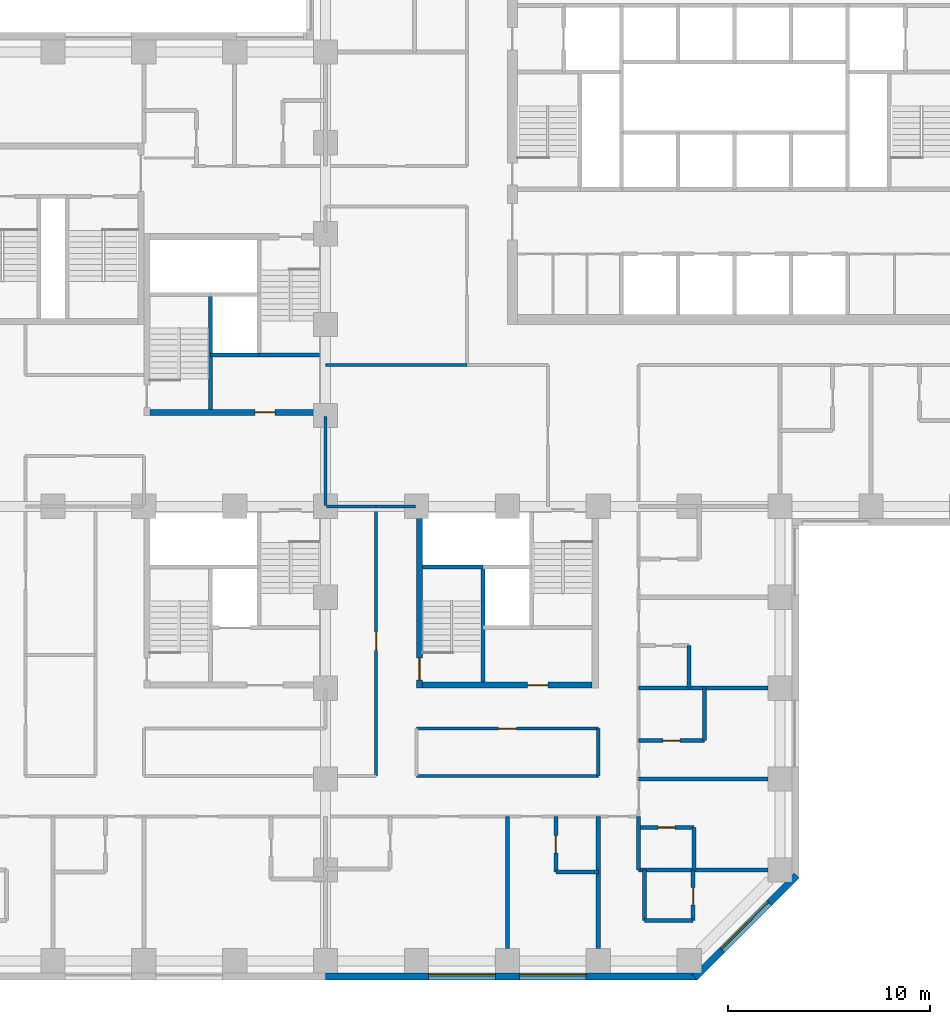
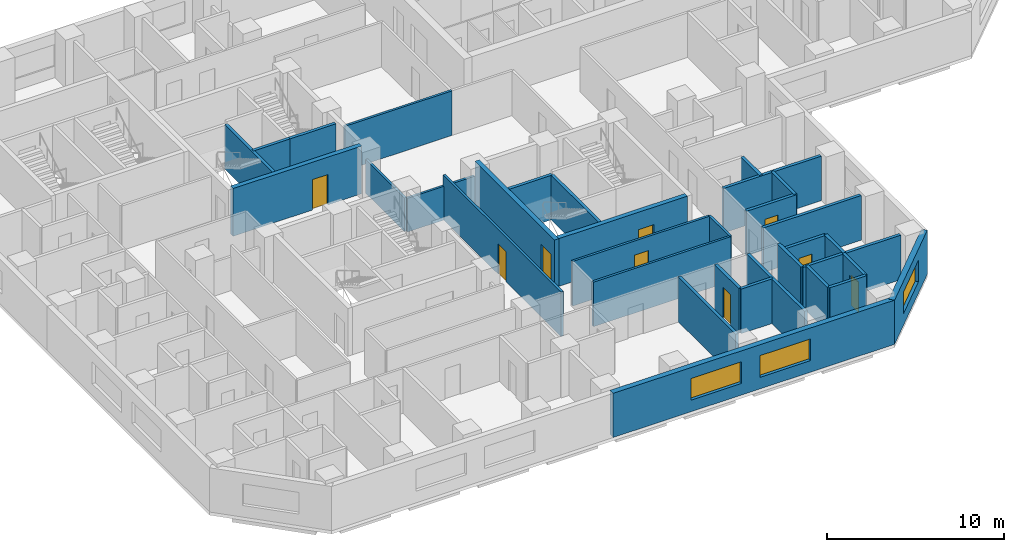
# One storey, part 4 of 12: 34 walls, 9 doors, 3 windows, 12 openings.
"""IFC4 building model written with IfcOpenShell, lengths in metres."""

from ifc_helpers import new_model, si_unit, direction, frame, frame_2d, origin, place, context, subcontext, project, spatial, rectangle, extrude, material, layer, layer_set, constituent, constituent_set, type_object, element, fill, save


model = new_model("IFC4")

# Units and contexts
model_context = context("Model", 3, precision=1e-05, world=origin(), true_north=direction((0.0, 1.0)))
body_context = subcontext(model_context, "Body", "Model", "MODEL_VIEW")
ifc_project = project(units=[si_unit("LENGTHUNIT", "METRE"), si_unit("AREAUNIT", "SQUARE_METRE"), si_unit("VOLUMEUNIT", "CUBIC_METRE"), si_unit("PLANEANGLEUNIT", "RADIAN"), si_unit("MASSUNIT", "GRAM", prefix="KILO")], contexts=[model_context])

# Site, building, storey
site_placement = place(None, origin())
site = spatial("IfcSite", under=ifc_project, at=site_placement, CompositionType="ELEMENT")
building_placement = place(site_placement, origin())
building = spatial("IfcBuilding", under=site, at=building_placement, Name="Quoin Convention Tower", CompositionType="ELEMENT")
storey_placement = place(building_placement, frame((0.0, 0.0, 59.39990234375)))
storey = spatial("IfcBuildingStorey", under=building, at=storey_placement, Name="L15", CompositionType="ELEMENT", Elevation=59.39990234375)

# Wall, openings, windows
ifc_material_1 = material(Name="Brick masonry", Category="masonry")
ifc_layer_1 = layer(ifc_material_1, 0.35009765625)
ifc_layer_set_1 = layer_set([ifc_layer_1], Name="Brick masonry")
wall_type_1 = type_object("IfcWallType", Name="Brick facade wall", PredefinedType="STANDARD", material=ifc_layer_set_1)
wall_1_placement = place(storey_placement, frame((36.0, 17.22509765625, 0.0), z_axis=(0.0, 0.0, 1.0), x_axis=(1.0, 0.0, 0.0)))
wall_1 = element("IfcWall", 1, at=wall_1_placement, inside=storey, type_object=wall_type_1, Name="fw-L15-36000_18000", PredefinedType="STANDARD", context=body_context, shape_type="SweptSolid", body=[
    extrude(rectangle(XDim=18.3935546875, YDim=0.35009765625, at=frame_2d((9.19677734375, 0.0))), origin(), (0.0, 0.0, 1.0), 3.05517578125),
])
opening_1_placement = place(wall_1_placement, frame((5.10009765625, 0.0, 0.800048828125)))
opening_1 = element("IfcOpeningElement", 2, at=opening_1_placement, cuts=wall_1, Name="Opening W-01", PredefinedType="OPENING", context=body_context, shape_type="SweptSolid", body=[
    extrude(rectangle(XDim=3.300048828125, YDim=1.5, at=frame_2d((1.64990234375, 0.75))), frame((0.0, 0.18505859375, 0.0), z_axis=(0.0, -1.0, 0.0), x_axis=(1.0, 0.0, 0.0)), (0.0, 0.0, 1.0), 0.3701171875),
])
opening_2_placement = place(wall_1_placement, frame((9.60009765625, 0.0, 0.800048828125)))
opening_2 = element("IfcOpeningElement", 3, at=opening_2_placement, cuts=wall_1, Name="Opening W-01", PredefinedType="OPENING", context=body_context, shape_type="SweptSolid", body=[
    extrude(rectangle(XDim=3.300048828125, YDim=1.5, at=frame_2d((1.64990234375, 0.75))), frame((0.0, 0.18505859375, 0.0), z_axis=(0.0, -1.0, 0.0), x_axis=(1.0, 0.0, 0.0)), (0.0, 0.0, 1.0), 0.3701171875),
])
ifc_material_2 = material(Name="Aluminium", Category="aluminium")
ifc_constituent_1 = constituent(ifc_material_2, Name="Frame")
ifc_material_3 = material(Name="Insulated glass", Category="glass")
ifc_constituent_2 = constituent(ifc_material_3, Name="Glazing")
ifc_constituent_set = constituent_set(constituents=[ifc_constituent_1, ifc_constituent_2], Name="Aluminium")
window_type = type_object("IfcWindowType", Name="Hotel strip window", PartitioningType="DOUBLE_PANEL_VERTICAL", PredefinedType="WINDOW", material=ifc_constituent_set)
window_1_placement = place(opening_1_placement, origin())
window_1 = element("IfcWindow", 4, at=window_1_placement, inside=storey, type_object=window_type, Name="win-L15-42750_17225", OverallHeight=1.5, OverallWidth=3.300048828125, PartitioningType="SINGLE_PANEL", PredefinedType="WINDOW", context=body_context, shape_type="SweptSolid", body=[
    extrude(rectangle(XDim=3.300048828125, YDim=1.5, at=frame_2d((1.64990234375, 0.75))), frame((0.0, 0.0849609375, 0.0), z_axis=(0.0, -1.0, 0.0), x_axis=(1.0, 0.0, 0.0)), (0.0, 0.0, 1.0), 0.06005859375),
])
fill(opening_1, window_1)
window_2_placement = place(opening_2_placement, origin())
window_2 = element("IfcWindow", 5, at=window_2_placement, inside=storey, type_object=window_type, Name="win-L15-47250_17225", OverallHeight=1.5, OverallWidth=3.300048828125, PartitioningType="SINGLE_PANEL", PredefinedType="WINDOW", context=body_context, shape_type="SweptSolid", body=[
    extrude(rectangle(XDim=3.300048828125, YDim=1.5, at=frame_2d((1.64990234375, 0.75))), frame((0.0, 0.0849609375, 0.0), z_axis=(0.0, -1.0, 0.0), x_axis=(1.0, 0.0, 0.0)), (0.0, 0.0, 1.0), 0.06005859375),
])
fill(opening_2, window_2)

# Wall, opening, window
wall_2_placement = place(storey_placement, frame((54.269775390625, 17.173583984375, 0.0), z_axis=(0.0, 0.0, 1.0), x_axis=(0.707106781187, 0.707106781187, 0.0)))
wall_2 = element("IfcWall", 6, at=wall_2_placement, inside=storey, type_object=wall_type_1, Name="fw-L15-54000_18000", PredefinedType="STANDARD", context=body_context, shape_type="SweptSolid", body=[
    extrude(rectangle(XDim=7.151123046875, YDim=0.35009765625, at=frame_2d((3.57568359375, 0.0))), origin(), (0.0, 0.0, 1.0), 3.05517578125),
])
opening_3_placement = place(wall_2_placement, frame((1.925537109375, 0.0, 0.800048828125)))
opening_3 = element("IfcOpeningElement", 7, at=opening_3_placement, cuts=wall_2, Name="Opening W-01", PredefinedType="OPENING", context=body_context, shape_type="SweptSolid", body=[
    extrude(rectangle(XDim=3.300048828125, YDim=1.5, at=frame_2d((1.64990234375, 0.75))), frame((0.0, 0.18505859375, 0.0), z_axis=(0.0, -1.0, 0.0), x_axis=(1.0, 0.0, 0.0)), (0.0, 0.0, 1.0), 0.3701171875),
])
window_3_placement = place(opening_3_placement, origin())
window_3 = element("IfcWindow", 8, at=window_3_placement, inside=storey, type_object=window_type, Name="win-L15-56798_19702", OverallHeight=1.5, OverallWidth=3.300048828125, PartitioningType="SINGLE_PANEL", PredefinedType="WINDOW", context=body_context, shape_type="SweptSolid", body=[
    extrude(rectangle(XDim=3.300048828125, YDim=1.5, at=frame_2d((1.64990234375, 0.75))), frame((0.0, 0.0849609375, 0.0), z_axis=(0.0, -1.0, 0.0), x_axis=(1.0, 0.0, 0.0)), (0.0, 0.0, 1.0), 0.06005859375),
])
fill(opening_3, window_3)

# Walls
ifc_material_4 = material(Name="Concrete C50", Category="concrete")
ifc_layer_2 = layer(ifc_material_4, 0.199951171875)
ifc_layer_set_2 = layer_set([ifc_layer_2], Name="Concrete C50")
wall_type_2 = type_object("IfcWallType", Name="Core shaft wall", PredefinedType="SOLIDWALL", material=ifc_layer_set_2)
wall_3_placement = place(storey_placement, frame((30.300048828125, 48.0, 0.0), z_axis=(0.0, 0.0, 1.0), x_axis=(1.0, 0.0, 0.0)))
element("IfcWall", 9, at=wall_3_placement, inside=storey, type_object=wall_type_2, Name="cr-P2-L15-h3000_3300", PredefinedType="SOLIDWALL", context=body_context, shape_type="SweptSolid", body=[
    extrude(rectangle(XDim=2.39990234375, YDim=0.199951171875, at=frame_2d((1.199951171875, 0.0))), origin(), (0.0, 0.0, 1.0), 3.080078125),
])
wall_4_placement = place(storey_placement, frame((32.699951171875, 48.0, 0.0), z_axis=(0.0, 0.0, 1.0), x_axis=(1.0, 0.0, 0.0)))
element("IfcWall", 10, at=wall_4_placement, inside=storey, type_object=wall_type_2, Name="cr-P2-L15-h3000_5700", PredefinedType="SOLIDWALL", context=body_context, shape_type="SweptSolid", body=[
    extrude(rectangle(XDim=3.0, YDim=0.199951171875, at=frame_2d((1.5, 0.0))), origin(), (0.0, 0.0, 1.0), 3.080078125),
])
wall_5_placement = place(storey_placement, frame((30.300048828125, 45.300048828125, 0.0), z_axis=(0.0, 0.0, 1.0), x_axis=(0.0, 1.0, 0.0)))
element("IfcWall", 11, at=wall_5_placement, inside=storey, type_object=wall_type_2, Name="cr-P2-L15-v3300_300", PredefinedType="SOLIDWALL", context=body_context, shape_type="SweptSolid", body=[
    extrude(rectangle(XDim=5.699951171875, YDim=0.199951171875, at=frame_2d((2.85009765625, 0.0))), origin(), (0.0, 0.0, 1.0), 3.080078125),
])
wall_6_placement = place(storey_placement, frame((40.800048828125, 37.5, 0.0), z_axis=(0.0, 0.0, 1.0), x_axis=(1.0, 0.0, 0.0)))
element("IfcWall", 12, at=wall_6_placement, inside=storey, type_object=wall_type_2, Name="cr-P3-L15-h6000_300", PredefinedType="SOLIDWALL", context=body_context, shape_type="SweptSolid", body=[
    extrude(rectangle(XDim=3.0, YDim=0.199951171875, at=frame_2d((1.5, 0.0))), origin(), (0.0, 0.0, 1.0), 3.080078125),
])
wall_7_placement = place(storey_placement, frame((43.800048828125, 31.800048828125, 0.0), z_axis=(0.0, 0.0, 1.0), x_axis=(0.0, 1.0, 0.0)))
element("IfcWall", 13, at=wall_7_placement, inside=storey, type_object=wall_type_2, Name="cr-P3-L15-v3300_300", PredefinedType="SOLIDWALL", context=body_context, shape_type="SweptSolid", body=[
    extrude(rectangle(XDim=5.699951171875, YDim=0.199951171875, at=frame_2d((2.85009765625, 0.0))), origin(), (0.0, 0.0, 1.0), 3.080078125),
])

# Wall, opening, door
ifc_material_5 = material(Name="Concrete C80", Category="concrete")
ifc_layer_3 = layer(ifc_material_5, 0.300048828125)
ifc_layer_set_3 = layer_set([ifc_layer_3], Name="Concrete C80")
wall_type_3 = type_object("IfcWallType", Name="RC CORE WALL 300 C80", PredefinedType="SHEAR", material=ifc_layer_set_3)
wall_8_placement = place(storey_placement, frame((27.300048828125, 45.14990234375, 0.0), z_axis=(0.0, 0.0, 1.0), x_axis=(1.0, 0.0, 0.0)))
wall_8 = element("IfcWall", 14, at=wall_8_placement, inside=storey, type_object=wall_type_3, Name="cwl-P2-L15-S", PredefinedType="SHEAR", context=body_context, shape_type="SweptSolid", body=[
    extrude(rectangle(XDim=8.39990234375, YDim=0.300048828125, at=frame_2d((4.199951171875, 0.0))), origin(), (0.0, 0.0, 1.0), 3.300048828125),
])
opening_4_placement = place(wall_8_placement, frame((5.199951171875, 0.0, 0.0)))
opening_4 = element("IfcOpeningElement", 15, at=opening_4_placement, cuts=wall_8, Name="Opening DCV5-51", PredefinedType="OPENING", context=body_context, shape_type="SweptSolid", body=[
    extrude(rectangle(XDim=1.0, YDim=2.10009765625, at=frame_2d((0.5, 1.050048828125))), frame((0.0, 0.159912109375, 0.0), z_axis=(0.0, -1.0, 0.0), x_axis=(1.0, 0.0, 0.0)), (0.0, 0.0, 1.0), 0.320068359375),
])
ifc_material_6 = material(Name="Steel door leaf", Category="steel")
door_type_1 = type_object("IfcDoorType", Name="Service door 1000 x 2100", OperationType="SINGLE_SWING_LEFT", PredefinedType="DOOR", material=ifc_material_6)
door_1_placement = place(opening_4_placement, origin())
door_1 = element("IfcDoor", 16, at=door_1_placement, inside=storey, type_object=door_type_1, Name="cd-P2-L15-R2-S", OperationType="SINGLE_SWING_LEFT", OverallHeight=2.10009765625, OverallWidth=1.0, PredefinedType="DOOR", context=body_context, shape_type="SweptSolid", body=[
    extrude(rectangle(XDim=1.0, YDim=2.10009765625, at=frame_2d((0.5, 1.050048828125))), frame((0.0, 0.02490234375, 0.0), z_axis=(0.0, -1.0, 0.0), x_axis=(1.0, 0.0, 0.0)), (0.0, 0.0, 1.0), 0.050048828125),
])
fill(opening_4, door_1)

wall_9_placement = place(storey_placement, frame((40.800048828125, 31.64990234375, 0.0), z_axis=(0.0, 0.0, 1.0), x_axis=(1.0, 0.0, 0.0)))
wall_9 = element("IfcWall", 17, at=wall_9_placement, inside=storey, type_object=wall_type_3, Name="cwl-P3-L15-S", PredefinedType="SHEAR", context=body_context, shape_type="SweptSolid", body=[
    extrude(rectangle(XDim=8.39990234375, YDim=0.300048828125, at=frame_2d((4.199951171875, 0.0))), origin(), (0.0, 0.0, 1.0), 3.300048828125),
])
opening_5_placement = place(wall_9_placement, frame((5.199951171875, 0.0, 0.0)))
opening_5 = element("IfcOpeningElement", 18, at=opening_5_placement, cuts=wall_9, Name="Opening DCV5-52", PredefinedType="OPENING", context=body_context, shape_type="SweptSolid", body=[
    extrude(rectangle(XDim=1.0, YDim=2.10009765625, at=frame_2d((0.5, 1.050048828125))), frame((0.0, 0.159912109375, 0.0), z_axis=(0.0, -1.0, 0.0), x_axis=(1.0, 0.0, 0.0)), (0.0, 0.0, 1.0), 0.320068359375),
])
door_2_placement = place(opening_5_placement, origin())
door_2 = element("IfcDoor", 19, at=door_2_placement, inside=storey, type_object=door_type_1, Name="cd-P3-L15-R2-S", OperationType="SINGLE_SWING_LEFT", OverallHeight=2.10009765625, OverallWidth=1.0, PredefinedType="DOOR", context=body_context, shape_type="SweptSolid", body=[
    extrude(rectangle(XDim=1.0, YDim=2.10009765625, at=frame_2d((0.5, 1.050048828125))), frame((0.0, 0.02490234375, 0.0), z_axis=(0.0, -1.0, 0.0), x_axis=(1.0, 0.0, 0.0)), (0.0, 0.0, 1.0), 0.050048828125),
])
fill(opening_5, door_2)

wall_10_placement = place(storey_placement, frame((40.64990234375, 31.5, 0.0), z_axis=(0.0, 0.0, 1.0), x_axis=(0.0, 1.0, 0.0)))
wall_10 = element("IfcWall", 20, at=wall_10_placement, inside=storey, type_object=wall_type_3, Name="cwl-P3-L15-W", PredefinedType="SHEAR", context=body_context, shape_type="SweptSolid", body=[
    extrude(rectangle(XDim=9.0, YDim=0.300048828125, at=frame_2d((4.5, 0.0))), origin(), (0.0, 0.0, 1.0), 3.300048828125),
])
opening_6_placement = place(wall_10_placement, frame((0.39990234375, 0.0, 0.0)))
opening_6 = element("IfcOpeningElement", 21, at=opening_6_placement, cuts=wall_10, Name="Opening SD5", PredefinedType="OPENING", context=body_context, shape_type="SweptSolid", body=[
    extrude(rectangle(XDim=1.10009765625, YDim=2.10009765625, at=frame_2d((0.550048828125, 1.050048828125))), frame((0.0, 0.159912109375, 0.0), z_axis=(0.0, -1.0, 0.0), x_axis=(1.0, 0.0, 0.0)), (0.0, 0.0, 1.0), 0.320068359375),
])
door_type_2 = type_object("IfcDoorType", Name="Stair door 1100 x 2100", OperationType="SINGLE_SWING_RIGHT", PredefinedType="DOOR", material=ifc_material_6)
door_3_placement = place(opening_6_placement, frame((1.10009765625, 0.0, 0.0), z_axis=(0.0, 0.0, 1.0), x_axis=(-1.0, 0.0, 0.0)))
door_3 = element("IfcDoor", 22, at=door_3_placement, inside=storey, type_object=door_type_2, Name="cd-P3-L15-SA-W", OperationType="SINGLE_SWING_RIGHT", OverallHeight=2.10009765625, OverallWidth=1.10009765625, PredefinedType="DOOR", context=body_context, shape_type="SweptSolid", body=[
    extrude(rectangle(XDim=1.10009765625, YDim=2.10009765625, at=frame_2d((0.550048828125, 1.050048828125))), frame((0.0, 0.02490234375, 0.0), z_axis=(0.0, -1.0, 0.0), x_axis=(1.0, 0.0, 0.0)), (0.0, 0.0, 1.0), 0.050048828125),
])
fill(opening_6, door_3)

# Walls
ifc_layer_4 = layer(ifc_material_4, 0.199951171875)
ifc_layer_set_4 = layer_set([ifc_layer_4], Name="Concrete C50")
wall_type_4 = type_object("IfcWallType", Name="RC party wall", PredefinedType="SOLIDWALL", material=ifc_layer_set_4)
for number, where, z_axis, x_axis, name in (
    (23, (45.0, 18.60009765625, 0.0), (0.0, 0.0, 1.0), (0.0, 1.0, 0.0), "pw-L15-042"),
    (24, (49.5, 18.60009765625, 0.0), (0.0, 0.0, 1.0), (0.0, 1.0, 0.0), "pw-L15-043"),
):
    element("IfcWall", number, at=place(storey_placement, frame(where, z_axis=z_axis, x_axis=x_axis)), inside=storey, type_object=wall_type_4, Name=name, PredefinedType="SOLIDWALL", context=body_context, shape_type="SweptSolid", body=[
        extrude(rectangle(XDim=6.5498046875, YDim=0.199951171875, at=frame_2d((3.27490234375, 0.0))), origin(), (0.0, 0.0, 1.0), 3.080078125),
    ])
wall_11_placement = place(storey_placement, frame((51.800048828125, 20.0, 0.0), z_axis=(0.0, 0.0, 1.0), x_axis=(1.0, 0.0, 0.0)))
element("IfcWall", 25, at=wall_11_placement, inside=storey, type_object=wall_type_4, Name="pw-L15-047", PredefinedType="SOLIDWALL", context=body_context, shape_type="SweptSolid", body=[
    extrude(rectangle(XDim=2.39990234375, YDim=0.199951171875, at=frame_2d((1.199951171875, 0.0))), origin(), (0.0, 0.0, 1.0), 3.080078125),
])
wall_12_placement = place(storey_placement, frame((51.800048828125, 20.0, 0.0), z_axis=(0.0, 0.0, 1.0), x_axis=(0.0, 1.0, 0.0)))
element("IfcWall", 26, at=wall_12_placement, inside=storey, type_object=wall_type_4, Name="pw-L15-048", PredefinedType="SOLIDWALL", context=body_context, shape_type="SweptSolid", body=[
    extrude(rectangle(XDim=2.5, YDim=0.199951171875, at=frame_2d((1.25, 0.0))), origin(), (0.0, 0.0, 1.0), 3.080078125),
])

# Wall, opening, door
wall_13_placement = place(storey_placement, frame((54.199951171875, 20.0, 0.0), z_axis=(0.0, 0.0, 1.0), x_axis=(0.0, 1.0, 0.0)))
wall_13 = element("IfcWall", 27, at=wall_13_placement, inside=storey, type_object=wall_type_4, Name="pw-L15-049", PredefinedType="SOLIDWALL", context=body_context, shape_type="SweptSolid", body=[
    extrude(rectangle(XDim=2.5, YDim=0.199951171875, at=frame_2d((1.25, 0.0))), origin(), (0.0, 0.0, 1.0), 3.080078125),
])
opening_7_placement = place(wall_13_placement, frame((0.77490234375, 0.0, 0.0)))
opening_7 = element("IfcOpeningElement", 28, at=opening_7_placement, cuts=wall_13, Name="Opening DHOTEL-D-43", PredefinedType="OPENING", context=body_context, shape_type="SweptSolid", body=[
    extrude(rectangle(XDim=0.85009765625, YDim=2.10009765625, at=frame_2d((0.425048828125, 1.050048828125))), frame((0.0, 0.10986328125, 0.0), z_axis=(0.0, -1.0, 0.0), x_axis=(1.0, 0.0, 0.0)), (0.0, 0.0, 1.0), 0.219970703125),
])
door_type_3 = type_object("IfcDoorType", Name="Bathroom door", OperationType="SINGLE_SWING_LEFT", PredefinedType="DOOR", material=ifc_material_6)
door_4_placement = place(opening_7_placement, frame((0.85009765625, 0.0, 0.0), z_axis=(0.0, 0.0, 1.0), x_axis=(-1.0, 0.0, 0.0)))
door_4 = element("IfcDoor", 29, at=door_4_placement, inside=storey, type_object=door_type_3, Name="dr-L15-062", OperationType="SINGLE_SWING_LEFT", OverallHeight=2.10009765625, OverallWidth=0.85009765625, PredefinedType="DOOR", context=body_context, shape_type="SweptSolid", body=[
    extrude(rectangle(XDim=0.85009765625, YDim=2.10009765625, at=frame_2d((0.425048828125, 1.050048828125))), frame((0.0, 0.02490234375, 0.0), z_axis=(0.0, -1.0, 0.0), x_axis=(1.0, 0.0, 0.0)), (0.0, 0.0, 1.0), 0.050048828125),
])
fill(opening_7, door_4)

# Wall
wall_14_placement = place(storey_placement, frame((47.39990234375, 22.39990234375, 0.0), z_axis=(0.0, 0.0, 1.0), x_axis=(1.0, 0.0, 0.0)))
element("IfcWall", 30, at=wall_14_placement, inside=storey, type_object=wall_type_4, Name="pw-L15-054", PredefinedType="SOLIDWALL", context=body_context, shape_type="SweptSolid", body=[
    extrude(rectangle(XDim=2.10009765625, YDim=0.199951171875, at=frame_2d((1.050048828125, 0.0))), origin(), (0.0, 0.0, 1.0), 3.080078125),
])

# Wall, opening, door
wall_15_placement = place(storey_placement, frame((47.39990234375, 22.39990234375, 0.0), z_axis=(0.0, 0.0, 1.0), x_axis=(0.0, 1.0, 0.0)))
wall_15 = element("IfcWall", 31, at=wall_15_placement, inside=storey, type_object=wall_type_4, Name="pw-L15-055", PredefinedType="SOLIDWALL", context=body_context, shape_type="SweptSolid", body=[
    extrude(rectangle(XDim=2.75, YDim=0.199951171875, at=frame_2d((1.375, 0.0))), origin(), (0.0, 0.0, 1.0), 3.080078125),
])
opening_8_placement = place(wall_15_placement, frame((0.949951171875, 0.0, 0.0)))
opening_8 = element("IfcOpeningElement", 32, at=opening_8_placement, cuts=wall_15, Name="Opening DHOTEL-D-46", PredefinedType="OPENING", context=body_context, shape_type="SweptSolid", body=[
    extrude(rectangle(XDim=0.85009765625, YDim=2.10009765625, at=frame_2d((0.425048828125, 1.050048828125))), frame((0.0, 0.10986328125, 0.0), z_axis=(0.0, -1.0, 0.0), x_axis=(1.0, 0.0, 0.0)), (0.0, 0.0, 1.0), 0.219970703125),
])
door_5_placement = place(opening_8_placement, origin())
door_5 = element("IfcDoor", 33, at=door_5_placement, inside=storey, type_object=door_type_3, Name="dr-L15-008", OperationType="SINGLE_SWING_RIGHT", OverallHeight=2.10009765625, OverallWidth=0.85009765625, PredefinedType="DOOR", context=body_context, shape_type="SweptSolid", body=[
    extrude(rectangle(XDim=0.85009765625, YDim=2.10009765625, at=frame_2d((0.425048828125, 1.050048828125))), frame((0.0, 0.02490234375, 0.0), z_axis=(0.0, -1.0, 0.0), x_axis=(1.0, 0.0, 0.0)), (0.0, 0.0, 1.0), 0.050048828125),
])
fill(opening_8, door_5)

# Walls
wall_16_placement = place(storey_placement, frame((51.5, 22.5, 0.0), z_axis=(0.0, 0.0, 1.0), x_axis=(1.0, 0.0, 0.0)))
element("IfcWall", 34, at=wall_16_placement, inside=storey, type_object=wall_type_4, Name="pw-L15-059", PredefinedType="SOLIDWALL", context=body_context, shape_type="SweptSolid", body=[
    extrude(rectangle(XDim=6.39990234375, YDim=0.199951171875, at=frame_2d((3.199951171875, 0.0))), origin(), (0.0, 0.0, 1.0), 3.080078125),
])
wall_17_placement = place(storey_placement, frame((51.5, 22.5, 0.0), z_axis=(0.0, 0.0, 1.0), x_axis=(0.0, 1.0, 0.0)))
element("IfcWall", 35, at=wall_17_placement, inside=storey, type_object=wall_type_4, Name="pw-L15-060", PredefinedType="SOLIDWALL", context=body_context, shape_type="SweptSolid", body=[
    extrude(rectangle(XDim=2.64990234375, YDim=0.199951171875, at=frame_2d((1.324951171875, 0.0))), origin(), (0.0, 0.0, 1.0), 3.080078125),
])
wall_18_placement = place(storey_placement, frame((54.25, 22.5, 0.0), z_axis=(0.0, 0.0, 1.0), x_axis=(0.0, 1.0, 0.0)))
element("IfcWall", 36, at=wall_18_placement, inside=storey, type_object=wall_type_4, Name="pw-L15-061", PredefinedType="SOLIDWALL", context=body_context, shape_type="SweptSolid", body=[
    extrude(rectangle(XDim=2.10009765625, YDim=0.199951171875, at=frame_2d((1.050048828125, 0.0))), origin(), (0.0, 0.0, 1.0), 3.080078125),
])

# Wall, opening, door
wall_19_placement = place(storey_placement, frame((51.5, 24.60009765625, 0.0), z_axis=(0.0, 0.0, 1.0), x_axis=(1.0, 0.0, 0.0)))
wall_19 = element("IfcWall", 37, at=wall_19_placement, inside=storey, type_object=wall_type_4, Name="pw-L15-064", PredefinedType="SOLIDWALL", context=body_context, shape_type="SweptSolid", body=[
    extrude(rectangle(XDim=2.75, YDim=0.199951171875, at=frame_2d((1.375, 0.0))), origin(), (0.0, 0.0, 1.0), 3.080078125),
])
opening_9_placement = place(wall_19_placement, frame((0.949951171875, 0.0, 0.0)))
opening_9 = element("IfcOpeningElement", 38, at=opening_9_placement, cuts=wall_19, Name="Opening DHOTEL-D-48", PredefinedType="OPENING", context=body_context, shape_type="SweptSolid", body=[
    extrude(rectangle(XDim=0.85009765625, YDim=2.10009765625, at=frame_2d((0.425048828125, 1.050048828125))), frame((0.0, 0.10986328125, 0.0), z_axis=(0.0, -1.0, 0.0), x_axis=(1.0, 0.0, 0.0)), (0.0, 0.0, 1.0), 0.219970703125),
])
door_6_placement = place(opening_9_placement, origin())
door_6 = element("IfcDoor", 39, at=door_6_placement, inside=storey, type_object=door_type_3, Name="dr-L15-024", OperationType="SINGLE_SWING_LEFT", OverallHeight=2.10009765625, OverallWidth=0.85009765625, PredefinedType="DOOR", context=body_context, shape_type="SweptSolid", body=[
    extrude(rectangle(XDim=0.85009765625, YDim=2.10009765625, at=frame_2d((0.425048828125, 1.050048828125))), frame((0.0, 0.02490234375, 0.0), z_axis=(0.0, -1.0, 0.0), x_axis=(1.0, 0.0, 0.0)), (0.0, 0.0, 1.0), 0.050048828125),
])
fill(opening_9, door_6)

# Wall
wall_20_placement = place(storey_placement, frame((51.5, 27.0, 0.0), z_axis=(0.0, 0.0, 1.0), x_axis=(1.0, 0.0, 0.0)))
element("IfcWall", 40, at=wall_20_placement, inside=storey, type_object=wall_type_4, Name="pw-L15-067", PredefinedType="SOLIDWALL", context=body_context, shape_type="SweptSolid", body=[
    extrude(rectangle(XDim=6.39990234375, YDim=0.199951171875, at=frame_2d((3.199951171875, 0.0))), origin(), (0.0, 0.0, 1.0), 3.080078125),
])

# Wall, opening, door
wall_21_placement = place(storey_placement, frame((51.5, 28.89990234375, 0.0), z_axis=(0.0, 0.0, 1.0), x_axis=(1.0, 0.0, 0.0)))
wall_21 = element("IfcWall", 41, at=wall_21_placement, inside=storey, type_object=wall_type_4, Name="pw-L15-068", PredefinedType="SOLIDWALL", context=body_context, shape_type="SweptSolid", body=[
    extrude(rectangle(XDim=3.25, YDim=0.199951171875, at=frame_2d((1.625, 0.0))), origin(), (0.0, 0.0, 1.0), 3.080078125),
])
opening_10_placement = place(wall_21_placement, frame((1.199951171875, 0.0, 0.0)))
opening_10 = element("IfcOpeningElement", 42, at=opening_10_placement, cuts=wall_21, Name="Opening DHOTEL-D-50", PredefinedType="OPENING", context=body_context, shape_type="SweptSolid", body=[
    extrude(rectangle(XDim=0.85009765625, YDim=2.10009765625, at=frame_2d((0.425048828125, 1.050048828125))), frame((0.0, 0.10986328125, 0.0), z_axis=(0.0, -1.0, 0.0), x_axis=(1.0, 0.0, 0.0)), (0.0, 0.0, 1.0), 0.219970703125),
])
door_7_placement = place(opening_10_placement, frame((0.85009765625, 0.0, 0.0), z_axis=(0.0, 0.0, 1.0), x_axis=(-1.0, 0.0, 0.0)))
door_7 = element("IfcDoor", 43, at=door_7_placement, inside=storey, type_object=door_type_3, Name="dr-L15-026", OperationType="SINGLE_SWING_RIGHT", OverallHeight=2.10009765625, OverallWidth=0.85009765625, PredefinedType="DOOR", context=body_context, shape_type="SweptSolid", body=[
    extrude(rectangle(XDim=0.85009765625, YDim=2.10009765625, at=frame_2d((0.425048828125, 1.050048828125))), frame((0.0, 0.02490234375, 0.0), z_axis=(0.0, -1.0, 0.0), x_axis=(1.0, 0.0, 0.0)), (0.0, 0.0, 1.0), 0.050048828125),
])
fill(opening_10, door_7)

# Walls
wall_22_placement = place(storey_placement, frame((54.75, 28.89990234375, 0.0), z_axis=(0.0, 0.0, 1.0), x_axis=(0.0, 1.0, 0.0)))
element("IfcWall", 44, at=wall_22_placement, inside=storey, type_object=wall_type_4, Name="pw-L15-069", PredefinedType="SOLIDWALL", context=body_context, shape_type="SweptSolid", body=[
    extrude(rectangle(XDim=2.60009765625, YDim=0.199951171875, at=frame_2d((1.300048828125, 0.0))), origin(), (0.0, 0.0, 1.0), 3.080078125),
])
wall_23_placement = place(storey_placement, frame((51.5, 31.5, 0.0), z_axis=(0.0, 0.0, 1.0), x_axis=(1.0, 0.0, 0.0)))
element("IfcWall", 45, at=wall_23_placement, inside=storey, type_object=wall_type_4, Name="pw-L15-074", PredefinedType="SOLIDWALL", context=body_context, shape_type="SweptSolid", body=[
    extrude(rectangle(XDim=6.39990234375, YDim=0.199951171875, at=frame_2d((3.199951171875, 0.0))), origin(), (0.0, 0.0, 1.0), 3.080078125),
])
wall_24_placement = place(storey_placement, frame((54.0, 31.5, 0.0), z_axis=(0.0, 0.0, 1.0), x_axis=(0.0, 1.0, 0.0)))
element("IfcWall", 46, at=wall_24_placement, inside=storey, type_object=wall_type_4, Name="pw-L15-075", PredefinedType="SOLIDWALL", context=body_context, shape_type="SweptSolid", body=[
    extrude(rectangle(XDim=2.10009765625, YDim=0.199951171875, at=frame_2d((1.050048828125, 0.0))), origin(), (0.0, 0.0, 1.0), 3.080078125),
])

# Wall, opening, door
ifc_material_7 = material(Name="Plasterboard")
ifc_layer_5 = layer(ifc_material_7, 0.012451171875, Name="Finish")
ifc_material_8 = material(Name="Steel stud framing", Category="steel")
ifc_layer_6 = layer(ifc_material_8, 0.125, Name="Structure")
ifc_layer_7 = layer(ifc_material_7, 0.012451171875, Name="Finish")
ifc_layer_set_5 = layer_set([ifc_layer_5, ifc_layer_6, ifc_layer_7], Name="Steel stud framing")
wall_type_5 = type_object("IfcWallType", Name="corridor partition", PredefinedType="PARTITIONING", material=ifc_layer_set_5)
wall_25_placement = place(storey_placement, frame((38.5, 27.14990234375, 0.0), z_axis=(0.0, 0.0, 1.0), x_axis=(0.0, 1.0, 0.0)))
wall_25 = element("IfcWall", 47, at=wall_25_placement, inside=storey, type_object=wall_type_5, Name="pw-L15-013", PredefinedType="PARTITIONING", context=body_context, shape_type="SweptSolid", body=[
    extrude(rectangle(XDim=13.35009765625, YDim=0.14990234375, at=frame_2d((6.675048828125, 0.0))), origin(), (0.0, 0.0, 1.0), 3.080078125),
])
opening_11_placement = place(wall_25_placement, frame((6.22509765625, 0.0, 0.0)))
opening_11 = element("IfcOpeningElement", 48, at=opening_11_placement, cuts=wall_25, Name="Opening DHOTEL-D-20", PredefinedType="OPENING", context=body_context, shape_type="SweptSolid", body=[
    extrude(rectangle(XDim=0.89990234375, YDim=2.10009765625, at=frame_2d((0.449951171875, 1.050048828125))), frame((0.0, 0.0849609375, 0.0), z_axis=(0.0, -1.0, 0.0), x_axis=(1.0, 0.0, 0.0)), (0.0, 0.0, 1.0), 0.169921875),
])
door_type_4 = type_object("IfcDoorType", Name="Single room door", OperationType="SINGLE_SWING_RIGHT", PredefinedType="DOOR", material=ifc_material_6)
door_8_placement = place(opening_11_placement, origin())
door_8 = element("IfcDoor", 49, at=door_8_placement, inside=storey, type_object=door_type_4, Name="dr-L15-073", OperationType="SINGLE_SWING_RIGHT", OverallHeight=2.10009765625, OverallWidth=0.89990234375, PredefinedType="DOOR", context=body_context, shape_type="SweptSolid", body=[
    extrude(rectangle(XDim=0.89990234375, YDim=2.10009765625, at=frame_2d((0.449951171875, 1.050048828125))), frame((0.0, 0.02490234375, 0.0), z_axis=(0.0, -1.0, 0.0), x_axis=(1.0, 0.0, 0.0)), (0.0, 0.0, 1.0), 0.050048828125),
])
fill(opening_11, door_8)

# Walls
wall_26_placement = place(storey_placement, frame((40.5, 27.14990234375, 0.0), z_axis=(0.0, 0.0, 1.0), x_axis=(1.0, 0.0, 0.0)))
element("IfcWall", 50, at=wall_26_placement, inside=storey, type_object=wall_type_5, Name="pw-L15-014", PredefinedType="PARTITIONING", context=body_context, shape_type="SweptSolid", body=[
    extrude(rectangle(XDim=9.0, YDim=0.14990234375, at=frame_2d((4.5, 0.0))), origin(), (0.0, 0.0, 1.0), 3.080078125),
])
wall_27_placement = place(storey_placement, frame((49.5, 27.14990234375, 0.0), z_axis=(0.0, 0.0, 1.0), x_axis=(0.0, 1.0, 0.0)))
element("IfcWall", 51, at=wall_27_placement, inside=storey, type_object=wall_type_5, Name="pw-L15-016", PredefinedType="PARTITIONING", context=body_context, shape_type="SweptSolid", body=[
    extrude(rectangle(XDim=2.35009765625, YDim=0.14990234375, at=frame_2d((1.175048828125, 0.0))), origin(), (0.0, 0.0, 1.0), 3.080078125),
])

# Wall, opening, door
wall_28_placement = place(storey_placement, frame((40.5, 29.5, 0.0), z_axis=(0.0, 0.0, 1.0), x_axis=(1.0, 0.0, 0.0)))
wall_28 = element("IfcWall", 52, at=wall_28_placement, inside=storey, type_object=wall_type_5, Name="pw-L15-019", PredefinedType="PARTITIONING", context=body_context, shape_type="SweptSolid", body=[
    extrude(rectangle(XDim=9.0, YDim=0.14990234375, at=frame_2d((4.5, 0.0))), origin(), (0.0, 0.0, 1.0), 3.080078125),
])
opening_12_placement = place(wall_28_placement, frame((4.050048828125, 0.0, 0.0)))
opening_12 = element("IfcOpeningElement", 53, at=opening_12_placement, cuts=wall_28, Name="Opening DHOTEL-D-21", PredefinedType="OPENING", context=body_context, shape_type="SweptSolid", body=[
    extrude(rectangle(XDim=0.89990234375, YDim=2.10009765625, at=frame_2d((0.449951171875, 1.050048828125))), frame((0.0, 0.0849609375, 0.0), z_axis=(0.0, -1.0, 0.0), x_axis=(1.0, 0.0, 0.0)), (0.0, 0.0, 1.0), 0.169921875),
])
door_9_placement = place(opening_12_placement, frame((0.89990234375, 0.0, 0.0), z_axis=(0.0, 0.0, 1.0), x_axis=(-1.0, 0.0, 0.0)))
door_9 = element("IfcDoor", 54, at=door_9_placement, inside=storey, type_object=door_type_4, Name="dr-L15-074", OperationType="SINGLE_SWING_LEFT", OverallHeight=2.10009765625, OverallWidth=0.89990234375, PredefinedType="DOOR", context=body_context, shape_type="SweptSolid", body=[
    extrude(rectangle(XDim=0.89990234375, YDim=2.10009765625, at=frame_2d((0.449951171875, 1.050048828125))), frame((0.0, 0.02490234375, 0.0), z_axis=(0.0, -1.0, 0.0), x_axis=(1.0, 0.0, 0.0)), (0.0, 0.0, 1.0), 0.050048828125),
])
fill(opening_12, door_9)

# Walls
ifc_layer_8 = layer(ifc_material_7, 0.012451171875, Name="Finish")
ifc_layer_9 = layer(ifc_material_8, 0.125, Name="Structure")
ifc_layer_10 = layer(ifc_material_7, 0.012451171875, Name="Finish")
ifc_layer_set_6 = layer_set([ifc_layer_8, ifc_layer_9, ifc_layer_10], Name="Steel stud framing")
wall_type_6 = type_object("IfcWallType", Name="corridor partition under beam 750", PredefinedType="PARTITIONING", material=ifc_layer_set_6)
wall_29_placement = place(storey_placement, frame((38.5, 40.5, 0.0), z_axis=(0.0, 0.0, 1.0), x_axis=(1.0, 0.0, 0.0)))
element("IfcWall", 55, at=wall_29_placement, inside=storey, type_object=wall_type_6, Name="pw-L15-021", PredefinedType="PARTITIONING", context=body_context, shape_type="SweptSolid", body=[
    extrude(rectangle(XDim=1.949951171875, YDim=0.14990234375, at=frame_2d((0.97509765625, 0.0))), origin(), (0.0, 0.0, 1.0), 2.330078125),
])
wall_30_placement = place(storey_placement, frame((36.0, 40.550048828125, 0.0), z_axis=(0.0, 0.0, 1.0), x_axis=(0.0, 1.0, 0.0)))
element("IfcWall", 56, at=wall_30_placement, inside=storey, type_object=wall_type_6, Name="pw-L15-023", PredefinedType="PARTITIONING", context=body_context, shape_type="SweptSolid", body=[
    extrude(rectangle(XDim=4.39990234375, YDim=0.14990234375, at=frame_2d((2.199951171875, 0.0))), origin(), (0.0, 0.0, 1.0), 2.330078125),
])
ifc_layer_11 = layer(ifc_material_7, 0.012451171875, Name="Finish")
ifc_layer_12 = layer(ifc_material_8, 0.125, Name="Structure")
ifc_layer_13 = layer(ifc_material_7, 0.012451171875, Name="Finish")
ifc_layer_set_7 = layer_set([ifc_layer_11, ifc_layer_12, ifc_layer_13], Name="Steel stud framing")
wall_type_7 = type_object("IfcWallType", Name="room partition", PredefinedType="PARTITIONING", material=ifc_layer_set_7)
wall_31_placement = place(storey_placement, frame((36.0, 47.5, 0.0), z_axis=(0.0, 0.0, 1.0), x_axis=(1.0, 0.0, 0.0)))
element("IfcWall", 57, at=wall_31_placement, inside=storey, type_object=wall_type_7, Name="pw-L15-163", PredefinedType="PARTITIONING", context=body_context, shape_type="SweptSolid", body=[
    extrude(rectangle(XDim=7.0, YDim=0.14990234375, at=frame_2d((3.5, 0.0))), origin(), (0.0, 0.0, 1.0), 3.080078125),
])
ifc_layer_14 = layer(ifc_material_7, 0.012451171875, Name="Finish")
ifc_layer_15 = layer(ifc_material_8, 0.125, Name="Structure")
ifc_layer_16 = layer(ifc_material_7, 0.012451171875, Name="Finish")
ifc_layer_set_8 = layer_set([ifc_layer_14, ifc_layer_15, ifc_layer_16], Name="Steel stud framing")
wall_type_8 = type_object("IfcWallType", Name="room partition under beam 750", PredefinedType="PARTITIONING", material=ifc_layer_set_8)
wall_32_placement = place(storey_placement, frame((36.050048828125, 40.5, 0.0), z_axis=(0.0, 0.0, 1.0), x_axis=(1.0, 0.0, 0.0)))
element("IfcWall", 58, at=wall_32_placement, inside=storey, type_object=wall_type_8, Name="pw-L15-160", PredefinedType="PARTITIONING", context=body_context, shape_type="SweptSolid", body=[
    extrude(rectangle(XDim=2.449951171875, YDim=0.14990234375, at=frame_2d((1.22509765625, 0.0))), origin(), (0.0, 0.0, 1.0), 2.330078125),
])

save(model, "model.ifc")
